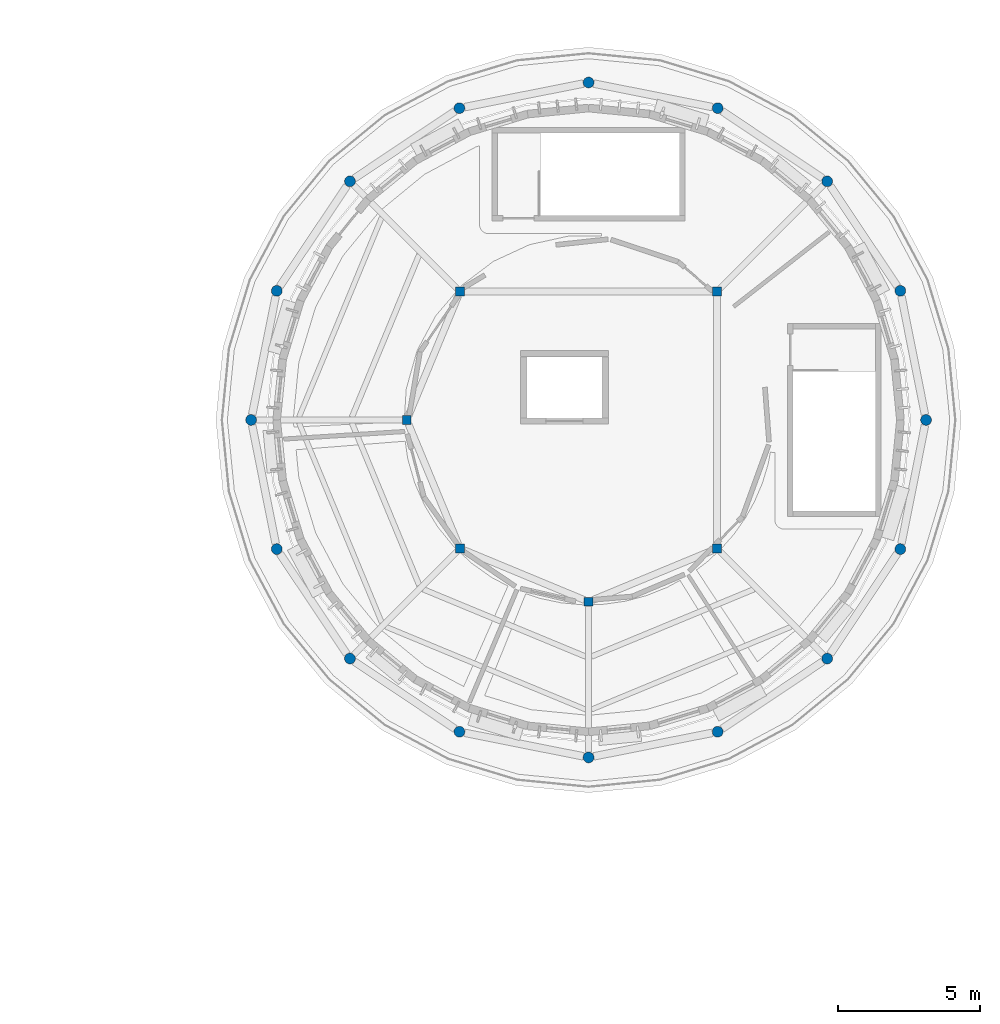
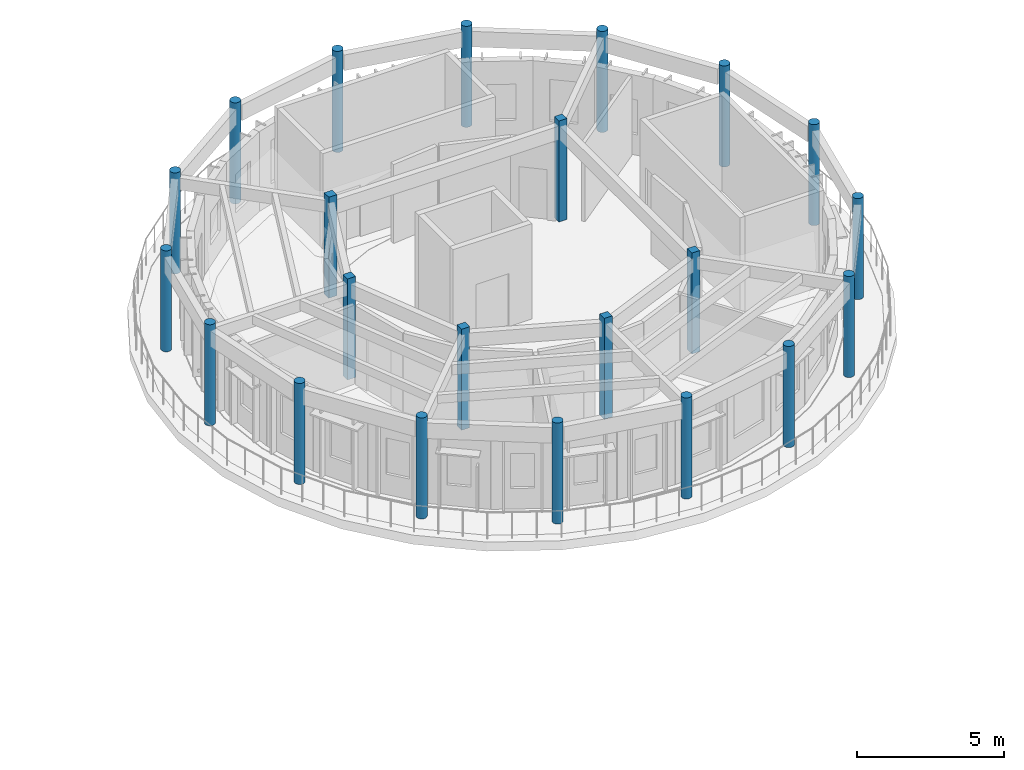
# One storey, part 2 of 37: 22 columns.
"""IFC4 building model written with IfcOpenShell, lengths in metres."""

from ifc_helpers import new_model, si_unit, direction, frame, origin, origin_2d, place, context, subcontext, project, spatial, rectangle, circle, extrude, material, material_profile, profile_set, type_object, element, save


model = new_model("IFC4")

# Units and contexts
model_context = context("Model", 3, precision=1e-05, world=origin(), true_north=direction((0.0, 1.0)))
body_context = subcontext(model_context, "Body", "Model", "MODEL_VIEW")
ifc_project = project(units=[si_unit("LENGTHUNIT", "METRE"), si_unit("AREAUNIT", "SQUARE_METRE"), si_unit("VOLUMEUNIT", "CUBIC_METRE"), si_unit("PLANEANGLEUNIT", "RADIAN"), si_unit("MASSUNIT", "GRAM", prefix="KILO")], contexts=[model_context])

# Site, building, storey
site_placement = place(None, origin())
site = spatial("IfcSite", under=ifc_project, at=site_placement, CompositionType="ELEMENT")
building_placement = place(site_placement, origin())
building = spatial("IfcBuilding", under=site, at=building_placement, Name="Aldenvaro Health Centre", CompositionType="ELEMENT")
storey_placement = place(building_placement, frame((0.0, 0.0, 12.949951171875)))
storey = spatial("IfcBuildingStorey", under=building, at=storey_placement, Name="L03", CompositionType="ELEMENT", Elevation=12.949951171875)

# Columns
ifc_material = material(Name="Glulam GL28h", Category="wood")
ifc_material_profile_1 = material_profile(ifc_material, rectangle(XDim=0.31494140625, YDim=0.31494140625, at=origin_2d()), Name="GL 315x315", Category="wood")
ifc_profile_set_1 = profile_set([ifc_material_profile_1], Name="Glulam GL28h")
column_type_1 = type_object("IfcColumnType", Name="COL-GL-315", PredefinedType="COLUMN", material=ifc_profile_set_1)
for number, where, z_axis, x_axis, name in (
    (1, (159.02490234375, 104.02490234375, 0.0), (0.0, 0.0, 1.0), (1.0, 0.0, 0.0), "D2 L03 column IN-01"),
    (2, (149.97509765625, 104.02490234375, 0.0), (0.0, 0.0, 1.0), (1.0, 0.0, 0.0), "D2 L03 column IN-02"),
    (3, (148.10009765625, 99.5, 0.0), (0.0, 0.0, 1.0), (1.0, 0.0, 0.0), "D2 L03 column IN-03"),
    (4, (149.97509765625, 94.97509765625, 0.0), (0.0, 0.0, 1.0), (1.0, 0.0, 0.0), "D2 L03 column IN-04"),
    (5, (154.5, 93.10009765625, 0.0), (0.0, 0.0, 1.0), (1.0, 0.0, 0.0), "D2 L03 column IN-05"),
    (6, (159.02490234375, 94.97509765625, 0.0), (0.0, 0.0, 1.0), (1.0, 0.0, 0.0), "D2 L03 column IN-06"),
):
    element("IfcColumn", number, at=place(storey_placement, frame(where, z_axis=z_axis, x_axis=x_axis)), inside=storey, type_object=column_type_1, Name=name, PredefinedType="COLUMN", context=body_context, shape_type="SweptSolid", body=[
        extrude(rectangle(XDim=0.31494140625, YDim=0.31494140625, at=origin_2d()), origin(), (0.0, 0.0, 1.0), 4.199951171875),
    ])
ifc_material_profile_2 = material_profile(ifc_material, circle(Radius=0.18994140625, at=origin_2d()), Name="GL D380", Category="wood")
ifc_profile_set_2 = profile_set([ifc_material_profile_2], Name="Glulam GL28h")
column_type_2 = type_object("IfcColumnType", Name="COL-GL-D380", PredefinedType="PILASTER", material=ifc_profile_set_2)
for number, where, z_axis, x_axis, name in (
    (7, (166.3798828125, 99.5, 0.0), (0.0, 0.0, 1.0), (1.0, 0.0, 0.0), "D2 L03 column OUT-01"),
    (8, (165.47607421875, 104.0458984375, 0.0), (0.0, 0.0, 1.0), (1.0, 0.0, 0.0), "D2 L03 column OUT-02"),
    (9, (162.89990234375, 107.89990234375, 0.0), (0.0, 0.0, 1.0), (1.0, 0.0, 0.0), "D2 L03 column OUT-03"),
    (10, (159.0458984375, 110.47607421875, 0.0), (0.0, 0.0, 1.0), (1.0, 0.0, 0.0), "D2 L03 column OUT-04"),
    (11, (154.5, 111.3798828125, 0.0), (0.0, 0.0, 1.0), (1.0, 0.0, 0.0), "D2 L03 column OUT-05"),
    (12, (149.9541015625, 110.47607421875, 0.0), (0.0, 0.0, 1.0), (1.0, 0.0, 0.0), "D2 L03 column OUT-06"),
    (13, (146.10009765625, 107.89990234375, 0.0), (0.0, 0.0, 1.0), (1.0, 0.0, 0.0), "D2 L03 column OUT-07"),
    (14, (143.52392578125, 104.0458984375, 0.0), (0.0, 0.0, 1.0), (1.0, 0.0, 0.0), "D2 L03 column OUT-08"),
    (15, (142.6201171875, 99.5, 0.0), (0.0, 0.0, 1.0), (1.0, 0.0, 0.0), "D2 L03 column OUT-09"),
    (16, (143.52392578125, 94.9541015625, 0.0), (0.0, 0.0, 1.0), (1.0, 0.0, 0.0), "D2 L03 column OUT-10"),
    (17, (146.10009765625, 91.10009765625, 0.0), (0.0, 0.0, 1.0), (1.0, 0.0, 0.0), "D2 L03 column OUT-11"),
    (18, (149.9541015625, 88.52392578125, 0.0), (0.0, 0.0, 1.0), (1.0, 0.0, 0.0), "D2 L03 column OUT-12"),
    (19, (154.5, 87.6201171875, 0.0), (0.0, 0.0, 1.0), (1.0, 0.0, 0.0), "D2 L03 column OUT-13"),
    (20, (159.0458984375, 88.52392578125, 0.0), (0.0, 0.0, 1.0), (1.0, 0.0, 0.0), "D2 L03 column OUT-14"),
    (21, (162.89990234375, 91.10009765625, 0.0), (0.0, 0.0, 1.0), (1.0, 0.0, 0.0), "D2 L03 column OUT-15"),
    (22, (165.47607421875, 94.9541015625, 0.0), (0.0, 0.0, 1.0), (1.0, 0.0, 0.0), "D2 L03 column OUT-16"),
):
    element("IfcColumn", number, at=place(storey_placement, frame(where, z_axis=z_axis, x_axis=x_axis)), inside=storey, type_object=column_type_2, Name=name, PredefinedType="PILASTER", context=body_context, shape_type="SweptSolid", body=[
        extrude(circle(Radius=0.18994140625, at=origin_2d()), origin(), (0.0, 0.0, 1.0), 4.199951171875),
    ])

save(model, "model.ifc")
